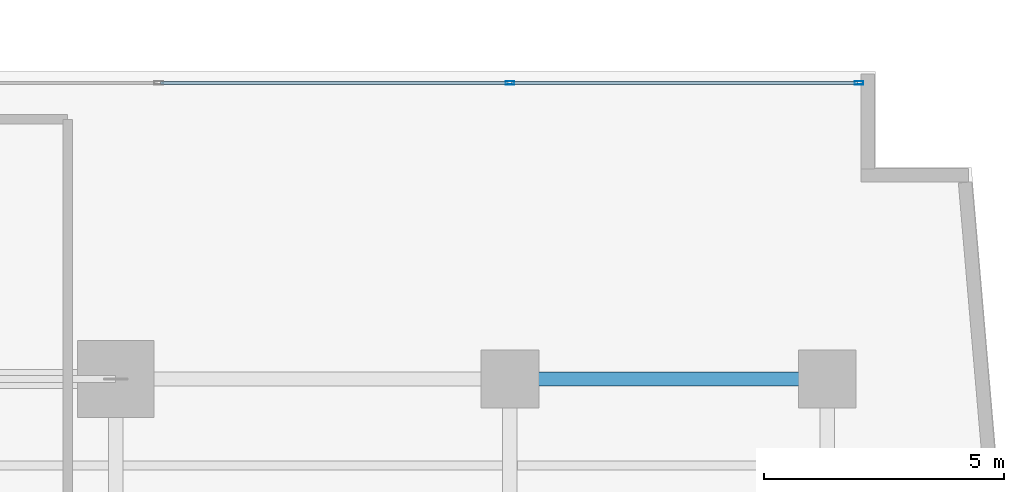
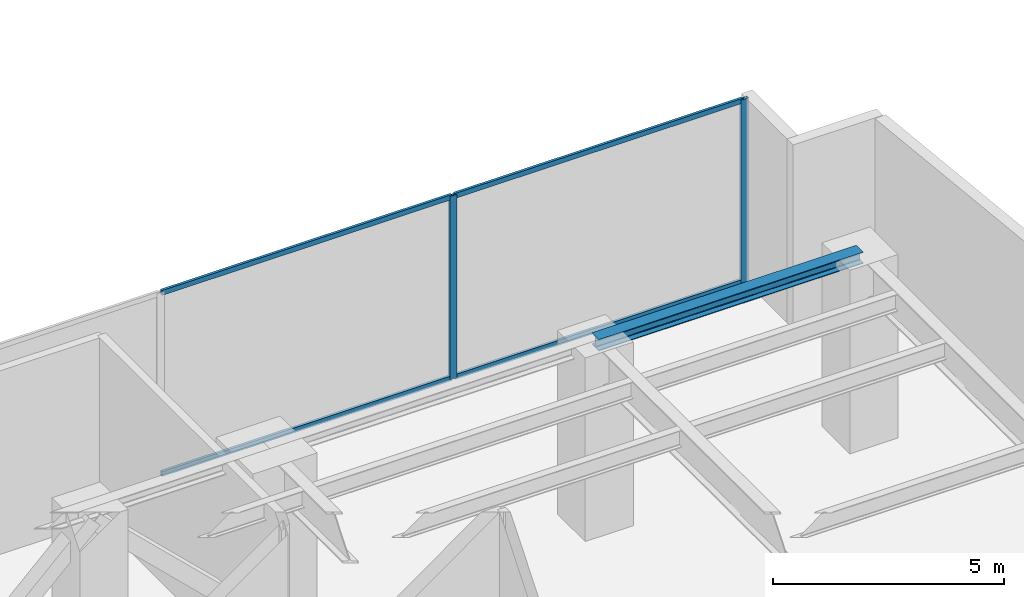
# One storey, part 21 of 36: 6 members, 1 beam, 1 element without a shape of its own.
"""IFC4 building model written with IfcOpenShell, lengths in metres."""

from ifc_helpers import new_model, si_unit, direction, frame, origin, origin_with_axes, origin_2d, place, context, subcontext, project, spatial, hollow_rectangle, i_section, extrude, source, transform, mapped, material, layer, layer_set, material_profile, profile_set, type_object, element, aggregate, save


model = new_model("IFC4")

# Units and contexts
model_context = context("Model", 3, precision=1e-05, world=origin(), true_north=direction((0.0, 1.0)))
body_context = subcontext(model_context, "Body", "Model", "MODEL_VIEW")
ifc_project = project(units=[si_unit("LENGTHUNIT", "METRE"), si_unit("AREAUNIT", "SQUARE_METRE"), si_unit("VOLUMEUNIT", "CUBIC_METRE"), si_unit("PLANEANGLEUNIT", "RADIAN"), si_unit("MASSUNIT", "GRAM", prefix="KILO")], contexts=[model_context])

# Site, building, storey
site_placement = place(None, origin())
site = spatial("IfcSite", under=ifc_project, at=site_placement, CompositionType="ELEMENT")
building_placement = place(site_placement, origin())
building = spatial("IfcBuilding", under=site, at=building_placement, Name="Kolvaren Waterfront Exchange", CompositionType="ELEMENT")
storey_placement = place(building_placement, frame((0.0, 0.0, 82.800048828125)))
storey = spatial("IfcBuildingStorey", under=building, at=storey_placement, Name="L21", CompositionType="ELEMENT", Elevation=82.800048828125)

# Beam
ifc_material_1 = material(Name="Steel S355", Category="steel")
ifc_material_profile_1 = material_profile(ifc_material_1, i_section(OverallWidth=0.300048828125, OverallDepth=0.300048828125, WebThickness=0.010986328125, FlangeThickness=0.01904296875, FilletRadius=0.027099609375, at=origin_2d()), Name="HEB300")
ifc_profile_set_1 = profile_set([ifc_material_profile_1], Name="Steel S355")
beam_type = type_object("IfcBeamType", Name="STR-BM-HEB300", PredefinedType="SPANDREL", material=ifc_profile_set_1)
beam_placement = place(storey_placement, frame((53.800048828125, 17.39990234375, 4.68994140625), z_axis=(1.0, 0.0, 0.0), x_axis=(0.0, 1.0, 0.0)))
element("IfcBeam", 1, at=beam_placement, inside=storey, type_object=beam_type, Name="L21 east-arm spandrel N5", PredefinedType="SPANDREL", context=body_context, shape_type="SweptSolid", body=[
    extrude(i_section(OverallWidth=0.300048828125, OverallDepth=0.300048828125, WebThickness=0.010986328125, FlangeThickness=0.01904296875, FilletRadius=0.027099609375, at=origin_2d()), origin(), (0.0, 0.0, 1.0), 6.599853515625),
])

# Curtain wall, members
ifc_material_2 = material(Name="Anodised dark bronze spandrel aluminium", Category="aluminium")
ifc_layer = layer(ifc_material_2, 0.219970703125, Name="Anodised dark bronze spandrel aluminium")
ifc_layer_set = layer_set([ifc_layer], Name="Anodised dark bronze spandrel aluminium")
curtain_wall_type = type_object("IfcCurtainWallType", Name="ARC-CW-SYS6", PredefinedType="USERDEFINED", material=ifc_layer_set)
curtain_wall_placement = place(storey_placement, origin())
curtain_wall = element("IfcCurtainWall", 2, at=curtain_wall_placement, inside=storey, type_object=curtain_wall_type, Name="L21 stick curtain wall CW6 (CW-L21-EN)", ObjectType="STICK CURTAIN WALL", PredefinedType="USERDEFINED")
ifc_material_3 = material(Name="Anodised bronze aluminium 6063-T6", Category="aluminium")
ifc_material_profile_2 = material_profile(ifc_material_3, hollow_rectangle(XDim=0.074951171875, YDim=0.179931640625, WallThickness=0.00439453125, at=origin_2d()), Name="ALU-MUL-180x75x4.5")
ifc_profile_set_2 = profile_set([ifc_material_profile_2], Name="Anodised bronze aluminium 6063-T6")
member_type_1 = type_object("IfcMemberType", Name="ARC-CWM-180", PredefinedType="MULLION", material=ifc_profile_set_2)
shared_shape_1 = source(origin_with_axes(), body_context, "Body", "SweptSolid", [
    extrude(hollow_rectangle(XDim=0.074951171875, YDim=0.179931640625, WallThickness=0.00439453125, at=origin_2d()), origin(), (0.0, 0.0, 1.0), 4.83984375),
])
member_1_placement = place(storey_placement, frame((53.797607421875, 23.56005859375, 0.0), z_axis=(0.0, 0.0, 1.0), x_axis=(0.0, 1.0, 0.0)))
member_1 = element("IfcMember", 3, at=member_1_placement, type_object=member_type_1, Name="CW6 mullion 4", PredefinedType="MULLION", context=body_context, shape_type="MappedRepresentation", body=[
    mapped(shared_shape_1, transform((0.0, 0.0, 0.0), x_axis=(1.0, 0.0, 0.0), y_axis=(0.0, 1.0, 0.0), z_axis=(0.0, 0.0, 1.0), scale=1.0)),
])
member_2_placement = place(storey_placement, frame((61.0625, 23.56005859375, 0.0), z_axis=(0.0, 0.0, 1.0), x_axis=(0.0, 1.0, 0.0)))
member_2 = element("IfcMember", 4, at=member_2_placement, type_object=member_type_1, Name="CW6 mullion 5", PredefinedType="MULLION", context=body_context, shape_type="MappedRepresentation", body=[
    mapped(shared_shape_1, transform((0.0, 0.0, 0.0), x_axis=(1.0, 0.0, 0.0), y_axis=(0.0, 1.0, 0.0), z_axis=(0.0, 0.0, 1.0), scale=1.0)),
])
ifc_material_profile_3 = material_profile(ifc_material_3, hollow_rectangle(XDim=0.06494140625, YDim=0.1298828125, WallThickness=0.00390625, at=origin_2d()), Name="ALU-TRN-130x65x4")
ifc_profile_set_3 = profile_set([ifc_material_profile_3], Name="Anodised bronze aluminium 6063-T6")
member_type_2 = type_object("IfcMemberType", Name="ARC-CWT-130", PredefinedType="USERDEFINED", material=ifc_profile_set_3)
shared_shape_2 = source(origin_with_axes(), body_context, "Body", "SweptSolid", [
    extrude(hollow_rectangle(XDim=0.06494140625, YDim=0.1298828125, WallThickness=0.00390625, at=origin_2d()), origin(), (0.0, 0.0, 1.0), 7.18994140625),
])
member_3_placement = place(storey_placement, frame((53.8349609375, 23.56005859375, 0.032470703125), z_axis=(1.0, 0.0, 0.0), x_axis=(0.0, 1.0, 0.0)))
member_3 = element("IfcMember", 5, at=member_3_placement, type_object=member_type_2, Name="CW6 transom 4.1", ObjectType="TRANSOM", PredefinedType="USERDEFINED", context=body_context, shape_type="MappedRepresentation", body=[
    mapped(shared_shape_2, transform((0.0, 0.0, 0.0), x_axis=(1.0, 0.0, 0.0), y_axis=(0.0, 1.0, 0.0), z_axis=(0.0, 0.0, 1.0), scale=1.0)),
])
member_4_placement = place(storey_placement, frame((53.8349609375, 23.56005859375, 4.807373046875), z_axis=(1.0, 0.0, 0.0), x_axis=(0.0, 1.0, 0.0)))
member_4 = element("IfcMember", 6, at=member_4_placement, type_object=member_type_2, Name="CW6 transom 4.2", ObjectType="TRANSOM", PredefinedType="USERDEFINED", context=body_context, shape_type="MappedRepresentation", body=[
    mapped(shared_shape_2, transform((0.0, 0.0, 0.0), x_axis=(1.0, 0.0, 0.0), y_axis=(0.0, 1.0, 0.0), z_axis=(0.0, 0.0, 1.0), scale=1.0)),
])
shared_shape_3 = source(origin_with_axes(), body_context, "Body", "SweptSolid", [
    extrude(hollow_rectangle(XDim=0.06494140625, YDim=0.1298828125, WallThickness=0.00390625, at=origin_2d()), origin(), (0.0, 0.0, 1.0), 7.2275390625),
])
member_5_placement = place(storey_placement, frame((46.532470703125, 23.56005859375, 0.032470703125), z_axis=(1.0, 0.0, 0.0), x_axis=(0.0, 1.0, 0.0)))
member_5 = element("IfcMember", 7, at=member_5_placement, type_object=member_type_2, Name="CW6 transom 3.1", ObjectType="TRANSOM", PredefinedType="USERDEFINED", context=body_context, shape_type="MappedRepresentation", body=[
    mapped(shared_shape_3, transform((0.0, 0.0, 0.0), x_axis=(1.0, 0.0, 0.0), y_axis=(0.0, 1.0, 0.0), z_axis=(0.0, 0.0, 1.0), scale=1.0)),
])
member_6_placement = place(storey_placement, frame((46.532470703125, 23.56005859375, 4.807373046875), z_axis=(1.0, 0.0, 0.0), x_axis=(0.0, 1.0, 0.0)))
member_6 = element("IfcMember", 8, at=member_6_placement, type_object=member_type_2, Name="CW6 transom 3.2", ObjectType="TRANSOM", PredefinedType="USERDEFINED", context=body_context, shape_type="MappedRepresentation", body=[
    mapped(shared_shape_3, transform((0.0, 0.0, 0.0), x_axis=(1.0, 0.0, 0.0), y_axis=(0.0, 1.0, 0.0), z_axis=(0.0, 0.0, 1.0), scale=1.0)),
])
aggregate(curtain_wall, [member_1, member_2, member_5, member_6, member_3, member_4])

save(model, "model.ifc")
